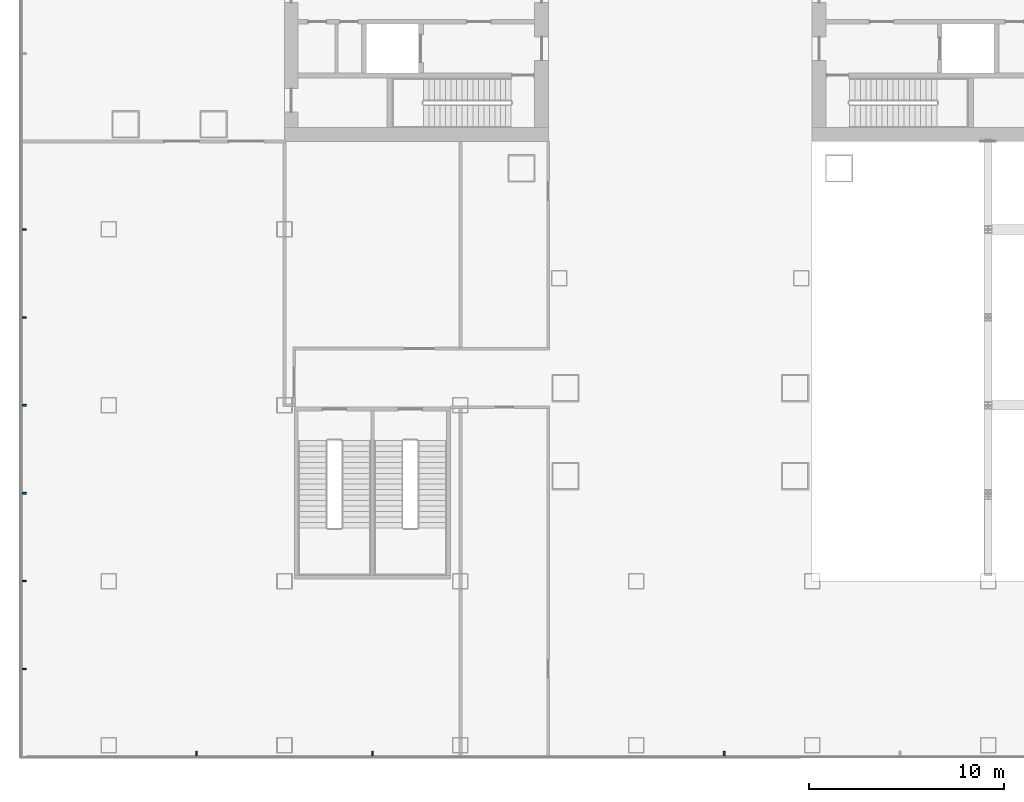
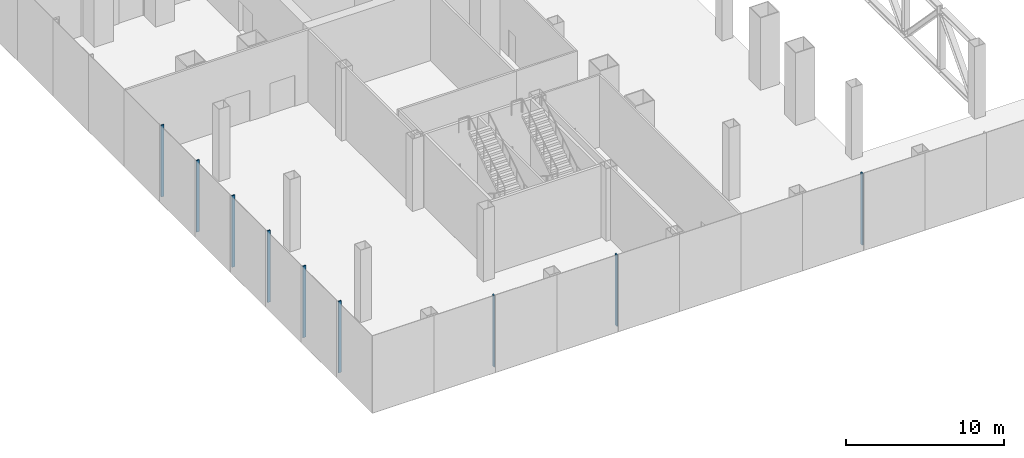
# One storey, part 5 of 33: 9 members, 2 elements without a shape of their own.
"""IFC4 building model written with IfcOpenShell, lengths in metres."""

from ifc_helpers import new_model, si_unit, direction, frame, origin, origin_2d, place, context, subcontext, project, spatial, rectangle, extrude, material, layer, layer_set, material_profile, profile_set, type_object, element, aggregate, save


model = new_model("IFC4")

# Units and contexts
model_context = context("Model", 3, precision=1e-05, world=origin(), true_north=direction((0.0, 1.0)))
body_context = subcontext(model_context, "Body", "Model", "MODEL_VIEW")
ifc_project = project(units=[si_unit("LENGTHUNIT", "METRE"), si_unit("AREAUNIT", "SQUARE_METRE"), si_unit("VOLUMEUNIT", "CUBIC_METRE"), si_unit("PLANEANGLEUNIT", "RADIAN"), si_unit("MASSUNIT", "GRAM", prefix="KILO")], contexts=[model_context])

# Site, building, storey
site_placement = place(None, origin())
site = spatial("IfcSite", under=ifc_project, at=site_placement, CompositionType="ELEMENT")
building_placement = place(site_placement, origin())
building = spatial("IfcBuilding", under=site, at=building_placement, Name="Shamsa Quay Exchange Towers", CompositionType="ELEMENT")
storey_placement = place(building_placement, frame((0.0, 0.0, 6.5)))
storey = spatial("IfcBuildingStorey", under=building, at=storey_placement, Name="L01", CompositionType="ELEMENT", Elevation=6.5)

# Curtain wall, members
ifc_material = material(Name="Aluminium EN AW-6063 T6, black anodised", Category="aluminium")
ifc_layer = layer(ifc_material, 0.33203125)
ifc_layer_set = layer_set([ifc_layer], Name="CW-3 PODIUM SHOPFRONT GLAZING")
curtain_wall_type = type_object("IfcCurtainWallType", Name="CW-3 PODIUM SHOPFRONT GLAZING", PredefinedType="NOTDEFINED", material=ifc_layer_set)
curtain_wall_1_placement = place(storey_placement, origin())
curtain_wall_1 = element("IfcCurtainWall", 1, at=curtain_wall_1_placement, inside=storey, type_object=curtain_wall_type, Name="CW3 PODIUM-L01-F02", PredefinedType="NOTDEFINED")
ifc_material_profile = material_profile(ifc_material, rectangle(XDim=0.219970703125, YDim=0.080078125, at=origin_2d()), Name="MU80x220")
ifc_profile_set = profile_set([ifc_material_profile], Name="Aluminium EN AW-6063 T6, black anodised")
member_type = type_object("IfcMemberType", Name="CW3 MULLION 80x220", PredefinedType="MULLION", material=ifc_profile_set)
member_1_placement = place(storey_placement, frame((-67.31005859375, -11.25, 0.0)))
member_1 = element("IfcMember", 2, at=member_1_placement, type_object=member_type, Name="CW3 mullion", PredefinedType="MULLION", context=body_context, shape_type="SweptSolid", body=[
    extrude(rectangle(XDim=0.219970703125, YDim=0.080078125, at=origin_2d()), origin(), (0.0, 0.0, 1.0), 5.550048828125),
])
member_2_placement = place(storey_placement, frame((-67.31005859375, -15.75, 0.0)))
member_2 = element("IfcMember", 3, at=member_2_placement, type_object=member_type, Name="CW3 mullion", PredefinedType="MULLION", context=body_context, shape_type="SweptSolid", body=[
    extrude(rectangle(XDim=0.219970703125, YDim=0.080078125, at=origin_2d()), origin(), (0.0, 0.0, 1.0), 5.550048828125),
])
member_3_placement = place(storey_placement, frame((-67.31005859375, -20.25, 0.0)))
member_3 = element("IfcMember", 4, at=member_3_placement, type_object=member_type, Name="CW3 mullion", PredefinedType="MULLION", context=body_context, shape_type="SweptSolid", body=[
    extrude(rectangle(XDim=0.219970703125, YDim=0.080078125, at=origin_2d()), origin(), (0.0, 0.0, 1.0), 5.550048828125),
])
member_4_placement = place(storey_placement, frame((-67.31005859375, -24.75, 0.0)))
member_4 = element("IfcMember", 5, at=member_4_placement, type_object=member_type, Name="CW3 mullion", PredefinedType="MULLION", context=body_context, shape_type="SweptSolid", body=[
    extrude(rectangle(XDim=0.219970703125, YDim=0.080078125, at=origin_2d()), origin(), (0.0, 0.0, 1.0), 5.550048828125),
])
member_5_placement = place(storey_placement, frame((-67.31005859375, -29.25, 0.0)))
member_5 = element("IfcMember", 6, at=member_5_placement, type_object=member_type, Name="CW3 mullion", PredefinedType="MULLION", context=body_context, shape_type="SweptSolid", body=[
    extrude(rectangle(XDim=0.219970703125, YDim=0.080078125, at=origin_2d()), origin(), (0.0, 0.0, 1.0), 5.550048828125),
])
member_6_placement = place(storey_placement, frame((-67.31005859375, -33.75, 0.0)))
member_6 = element("IfcMember", 7, at=member_6_placement, type_object=member_type, Name="CW3 mullion", PredefinedType="MULLION", context=body_context, shape_type="SweptSolid", body=[
    extrude(rectangle(XDim=0.219970703125, YDim=0.080078125, at=origin_2d()), origin(), (0.0, 0.0, 1.0), 5.550048828125),
])
aggregate(curtain_wall_1, [member_1, member_2, member_3, member_4, member_5, member_6])

curtain_wall_2_placement = place(storey_placement, origin())
curtain_wall_2 = element("IfcCurtainWall", 8, at=curtain_wall_2_placement, inside=storey, type_object=curtain_wall_type, Name="CW3 PODIUM-L01-F03", PredefinedType="NOTDEFINED")
member_7_placement = place(storey_placement, frame((-58.5, -38.06005859375, 0.0), z_axis=(0.0, 0.0, 1.0), x_axis=(0.0, 1.0, 0.0)))
member_7 = element("IfcMember", 9, at=member_7_placement, type_object=member_type, Name="CW3 mullion", PredefinedType="MULLION", context=body_context, shape_type="SweptSolid", body=[
    extrude(rectangle(XDim=0.219970703125, YDim=0.080078125, at=origin_2d()), origin(), (0.0, 0.0, 1.0), 5.550048828125),
])
member_8_placement = place(storey_placement, frame((-49.5, -38.06005859375, 0.0), z_axis=(0.0, 0.0, 1.0), x_axis=(0.0, 1.0, 0.0)))
member_8 = element("IfcMember", 10, at=member_8_placement, type_object=member_type, Name="CW3 mullion", PredefinedType="MULLION", context=body_context, shape_type="SweptSolid", body=[
    extrude(rectangle(XDim=0.219970703125, YDim=0.080078125, at=origin_2d()), origin(), (0.0, 0.0, 1.0), 5.550048828125),
])
member_9_placement = place(storey_placement, frame((-31.5, -38.06005859375, 0.0), z_axis=(0.0, 0.0, 1.0), x_axis=(0.0, 1.0, 0.0)))
member_9 = element("IfcMember", 11, at=member_9_placement, type_object=member_type, Name="CW3 mullion", PredefinedType="MULLION", context=body_context, shape_type="SweptSolid", body=[
    extrude(rectangle(XDim=0.219970703125, YDim=0.080078125, at=origin_2d()), origin(), (0.0, 0.0, 1.0), 5.550048828125),
])
aggregate(curtain_wall_2, [member_7, member_8, member_9])

save(model, "model.ifc")
